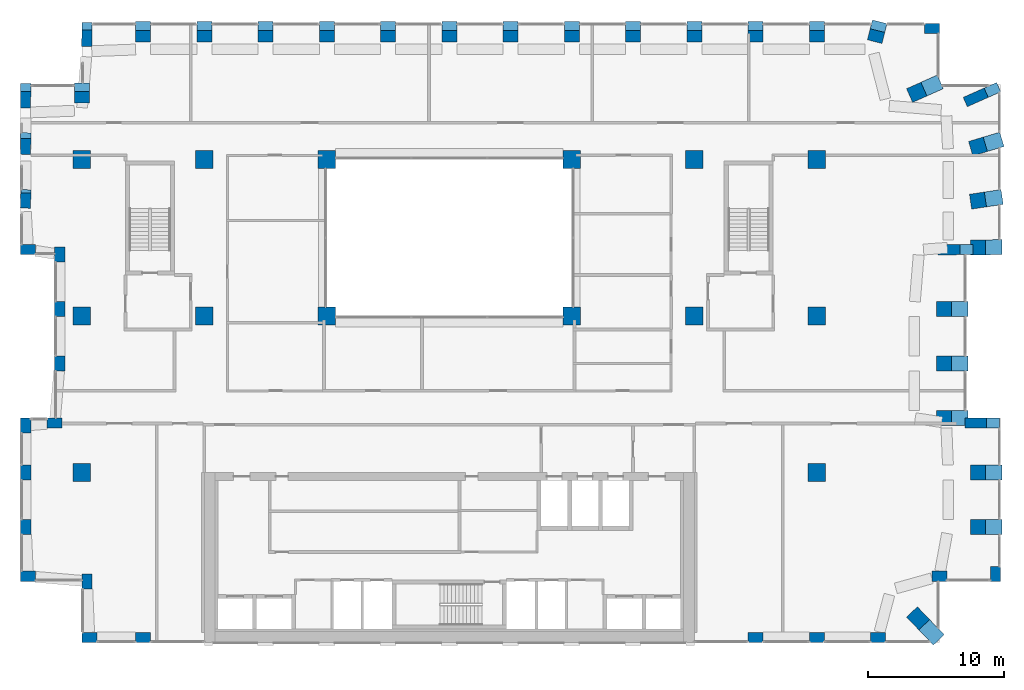
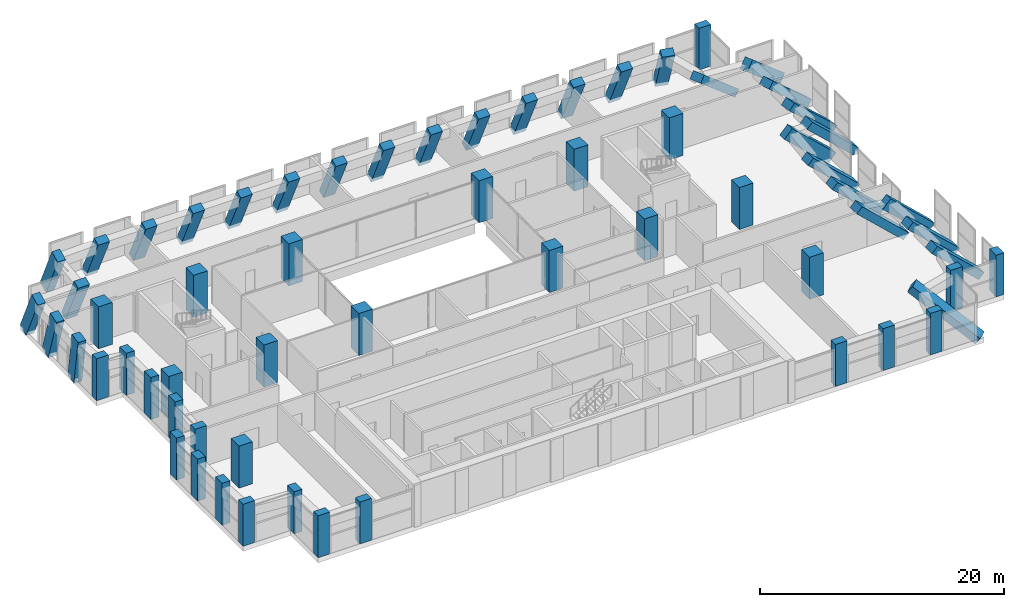
# One storey, part 1 of 20: 63 columns.
"""IFC4 building model written with IfcOpenShell, lengths in metres."""

from ifc_helpers import new_model, si_unit, direction, frame, origin, origin_2d, place, context, subcontext, project, spatial, rectangle, extrude, material, material_profile, profile_set, type_object, element, save


model = new_model("IFC4")

# Units and contexts
model_context = context("Model", 3, precision=1e-05, world=origin(), true_north=direction((0.0, 1.0)))
body_context = subcontext(model_context, "Body", "Model", "MODEL_VIEW")
ifc_project = project(units=[si_unit("LENGTHUNIT", "METRE"), si_unit("AREAUNIT", "SQUARE_METRE"), si_unit("VOLUMEUNIT", "CUBIC_METRE"), si_unit("PLANEANGLEUNIT", "RADIAN"), si_unit("MASSUNIT", "GRAM", prefix="KILO")], contexts=[model_context])

# Site, building, storey
site_placement = place(None, origin())
site = spatial("IfcSite", under=ifc_project, at=site_placement, CompositionType="ELEMENT")
building_placement = place(site_placement, origin())
building = spatial("IfcBuilding", under=site, at=building_placement, Name="Brigalow Station Residences", CompositionType="ELEMENT")
storey_placement = place(building_placement, frame((0.0, 0.0, 137.10009765625)))
storey = spatial("IfcBuildingStorey", under=building, at=storey_placement, Name="L39", CompositionType="ELEMENT", Elevation=137.10009765625)

# Columns
ifc_material_1 = material(Name="Concrete C65", Category="concrete")
ifc_material_profile_1 = material_profile(ifc_material_1, rectangle(XDim=1.300048828125, YDim=1.300048828125, at=origin_2d()), Name="RC1300x1300")
ifc_profile_set_1 = profile_set([ifc_material_profile_1], Name="Concrete C65")
column_type_1 = type_object("IfcColumnType", Name="COLUMN 1300x1300 C65", PredefinedType="COLUMN", material=ifc_profile_set_1)
for number, where, z_axis, x_axis, name in (
    (1, (9.0, 24.0, 0.0), (0.0, 0.0, 1.0), (1.0, 0.0, 0.0), "COLUMN C1 L39"),
    (2, (18.0, 24.0, 0.0), (0.0, 0.0, 1.0), (1.0, 0.0, 0.0), "COLUMN C2 L39"),
    (3, (27.0, 24.0, 0.0), (0.0, 0.0, 1.0), (1.0, 0.0, 0.0), "COLUMN C3 L39"),
    (4, (45.0, 24.0, 0.0), (0.0, 0.0, 1.0), (1.0, 0.0, 0.0), "COLUMN C5 L39"),
    (5, (54.0, 24.0, 0.0), (0.0, 0.0, 1.0), (1.0, 0.0, 0.0), "COLUMN C6 L39"),
    (6, (63.0, 24.0, 0.0), (0.0, 0.0, 1.0), (1.0, 0.0, 0.0), "COLUMN C7 L39"),
    (7, (9.0, 35.5, 0.0), (0.0, 0.0, 1.0), (1.0, 0.0, 0.0), "COLUMN D1 L39"),
    (8, (18.0, 35.5, 0.0), (0.0, 0.0, 1.0), (1.0, 0.0, 0.0), "COLUMN D2 L39"),
    (9, (27.0, 35.5, 0.0), (0.0, 0.0, 1.0), (1.0, 0.0, 0.0), "COLUMN D3 L39"),
    (10, (45.0, 35.5, 0.0), (0.0, 0.0, 1.0), (1.0, 0.0, 0.0), "COLUMN D5 L39"),
    (11, (54.0, 35.5, 0.0), (0.0, 0.0, 1.0), (1.0, 0.0, 0.0), "COLUMN D6 L39"),
    (12, (63.0, 35.5, 0.0), (0.0, 0.0, 1.0), (1.0, 0.0, 0.0), "COLUMN D7 L39"),
    (13, (9.0, 12.5, 0.0), (0.0, 0.0, 1.0), (1.0, 0.0, 0.0), "COLUMN B1 L39"),
    (14, (63.0, 12.5, 0.0), (0.0, 0.0, 1.0), (1.0, 0.0, 0.0), "COLUMN B7 L39"),
):
    element("IfcColumn", number, at=place(storey_placement, frame(where, z_axis=z_axis, x_axis=x_axis)), inside=storey, type_object=column_type_1, Name=name, PredefinedType="COLUMN", context=body_context, shape_type="SweptSolid", body=[
        extrude(rectangle(XDim=1.300048828125, YDim=1.300048828125, at=origin_2d()), origin(), (0.0, 0.0, 1.0), 4.199951171875),
    ])
ifc_material_2 = material(Name="Concrete C65", Category="concrete")
ifc_material_profile_2 = material_profile(ifc_material_2, rectangle(XDim=1.10009765625, YDim=0.75, at=origin_2d()), Name="RC1100x750")
ifc_profile_set_2 = profile_set([ifc_material_profile_2], Name="Concrete C65")
column_type_2 = type_object("IfcColumnType", Name="KINK COLUMN 1100x750 C65", PredefinedType="USERDEFINED", material=ifc_profile_set_2)
column_1_placement = place(storey_placement, frame((71.81298828125, 0.35400390625, -0.191650390625), z_axis=(-0.565829328796, 0.589840472916, 0.576129661782), x_axis=(-0.72164247075, -0.692265949192, 0.0)))
element("IfcColumn", 15, at=column_1_placement, inside=storey, type_object=column_type_2, Name="KINK COLUMN SE2-1 L39", ObjectType="KINK COLUMN", PredefinedType="USERDEFINED", context=body_context, shape_type="SweptSolid", body=[
    extrude(rectangle(XDim=1.10009765625, YDim=0.75, at=origin_2d()), origin(), (0.0, 0.0, 1.0), 7.0869140625),
])
for number, where, z_axis, x_axis, name in (
    (16, (76.3642578125, 8.5, -0.224609375), (-0.729141513294, 0.0, 0.684362954572), (0.0, -1.0, 0.0), "KINK COLUMN E1-2 L39"),
    (17, (76.3642578125, 12.5, -0.224609375), (-0.729141513294, 0.0, 0.684362954572), (0.0, -1.0, 0.0), "KINK COLUMN E1-3 L39"),
):
    element("IfcColumn", number, at=place(storey_placement, frame(where, z_axis=z_axis, x_axis=x_axis)), inside=storey, type_object=column_type_2, Name=name, ObjectType="KINK COLUMN", PredefinedType="USERDEFINED", context=body_context, shape_type="SweptSolid", body=[
        extrude(rectangle(XDim=1.10009765625, YDim=0.75, at=origin_2d()), origin(), (0.0, 0.0, 1.0), 6.062744140625),
    ])
column_2_placement = place(storey_placement, frame((76.0537109375, 16.12451171875, -0.09814453125), z_axis=(-0.727236062663, 0.004086079131, 0.686375271349), x_axis=(0.686364437468, -0.003856436099, 0.72724754168)))
element("IfcColumn", 18, at=column_2_placement, inside=storey, type_object=column_type_2, Name="KINK COLUMN EL1-1 L39", ObjectType="KINK COLUMN", PredefinedType="USERDEFINED", context=body_context, shape_type="SweptSolid", body=[
    extrude(rectangle(XDim=1.10009765625, YDim=0.75, at=origin_2d()), origin(), (0.0, 0.0, 1.0), 5.67626953125),
])
for number, where, z_axis, x_axis, name in (
    (19, (73.8642578125, 16.5, -0.224609375), (-0.729141513294, 0.0, 0.684362954572), (0.0, -1.0, 0.0), "KINK COLUMN EL2-1 L39"),
    (20, (73.8642578125, 20.5, -0.224609375), (-0.729141513294, 0.0, 0.684362954572), (0.0, -1.0, 0.0), "KINK COLUMN EL2-2 L39"),
    (21, (73.8642578125, 24.5, -0.224609375), (-0.729141513294, 0.0, 0.684362954572), (0.0, -1.0, 0.0), "KINK COLUMN EL2-3 L39"),
):
    element("IfcColumn", number, at=place(storey_placement, frame(where, z_axis=z_axis, x_axis=x_axis)), inside=storey, type_object=column_type_2, Name=name, ObjectType="KINK COLUMN", PredefinedType="USERDEFINED", context=body_context, shape_type="SweptSolid", body=[
        extrude(rectangle(XDim=1.10009765625, YDim=0.75, at=origin_2d()), origin(), (0.0, 0.0, 1.0), 6.062744140625),
    ])
column_3_placement = place(storey_placement, frame((74.102783203125, 28.87548828125, -0.095947265625), z_axis=(-0.731056341315, -0.004066179884, 0.682304984596), x_axis=(0.68229443077, 0.003794963169, 0.731067649397)))
element("IfcColumn", 22, at=column_3_placement, inside=storey, type_object=column_type_2, Name="KINK COLUMN EL3-1 L39", ObjectType="KINK COLUMN", PredefinedType="USERDEFINED", context=body_context, shape_type="SweptSolid", body=[
    extrude(rectangle(XDim=1.10009765625, YDim=0.75, at=origin_2d()), origin(), (0.0, 0.0, 1.0), 5.703857421875),
])
column_4_placement = place(storey_placement, frame((76.3642578125, 29.052734375, -0.224609375), z_axis=(-0.729117392386, -0.008133965497, 0.684340314994), x_axis=(0.01115521242, -0.999937778682, 0.0)))
element("IfcColumn", 23, at=column_4_placement, inside=storey, type_object=column_type_2, Name="KINK COLUMN E2-1 L39", ObjectType="KINK COLUMN", PredefinedType="USERDEFINED", context=body_context, shape_type="SweptSolid", body=[
    extrude(rectangle(XDim=1.10009765625, YDim=0.75, at=origin_2d()), origin(), (0.0, 0.0, 1.0), 6.06298828125),
])
column_5_placement = place(storey_placement, frame((76.36279296875, 32.702392578125, -0.223388671875), z_axis=(-0.724868321126, -0.108039229736, 0.680362728157), x_axis=(0.147418250083, -0.989074243696, 0.0)))
element("IfcColumn", 24, at=column_5_placement, inside=storey, type_object=column_type_2, Name="KINK COLUMN E2-2 L39", ObjectType="KINK COLUMN", PredefinedType="USERDEFINED", context=body_context, shape_type="SweptSolid", body=[
    extrude(rectangle(XDim=1.10009765625, YDim=0.75, at=origin_2d()), origin(), (0.0, 0.0, 1.0), 6.094482421875),
])
column_6_placement = place(storey_placement, frame((76.3583984375, 36.902587890625, -0.21923828125), z_axis=(-0.712524778345, -0.212258211932, 0.668771180384), x_axis=(0.28549732767, -0.958379505151, 0.0)))
element("IfcColumn", 25, at=column_6_placement, inside=storey, type_object=column_type_2, Name="KINK COLUMN E2-3 L39", ObjectType="KINK COLUMN", PredefinedType="USERDEFINED", context=body_context, shape_type="SweptSolid", body=[
    extrude(rectangle(XDim=1.10009765625, YDim=0.75, at=origin_2d()), origin(), (0.0, 0.0, 1.0), 6.18798828125),
])
column_7_placement = place(storey_placement, frame((76.036376953125, 40.663330078125, -0.08154296875), z_axis=(-0.692082905353, -0.307175001416, 0.653195813385), x_axis=(0.597031437995, 0.264987231144, 0.757189031469)))
element("IfcColumn", 26, at=column_7_placement, inside=storey, type_object=column_type_2, Name="KINK COLUMN NE1-1 L39", ObjectType="KINK COLUMN", PredefinedType="USERDEFINED", context=body_context, shape_type="SweptSolid", body=[
    extrude(rectangle(XDim=1.10009765625, YDim=0.75, at=origin_2d()), origin(), (0.0, 0.0, 1.0), 5.9140625),
])
column_8_placement = place(storey_placement, frame((71.852294921875, 41.1015625, -0.21337890625), z_axis=(-0.693283836665, -0.309819996528, 0.650668188534), x_axis=(0.408000303291, -0.912981791995, 0.0)))
element("IfcColumn", 27, at=column_8_placement, inside=storey, type_object=column_type_2, Name="KINK COLUMN NE2-1 L39", ObjectType="KINK COLUMN", PredefinedType="USERDEFINED", context=body_context, shape_type="SweptSolid", body=[
    extrude(rectangle(XDim=1.10009765625, YDim=0.75, at=origin_2d()), origin(), (0.0, 0.0, 1.0), 6.341796875),
])
column_9_placement = place(storey_placement, frame((67.539794921875, 45.2822265625, -0.33447265625), z_axis=(-0.107098158819, -0.423113148572, 0.899725095728), x_axis=(0.969426781934, -0.245380754072, 0.0)))
element("IfcColumn", 28, at=column_9_placement, inside=storey, type_object=column_type_2, Name="KINK COLUMN N-1 L39", ObjectType="KINK COLUMN", PredefinedType="USERDEFINED", context=body_context, shape_type="SweptSolid", body=[
    extrude(rectangle(XDim=1.10009765625, YDim=0.75, at=origin_2d()), origin(), (0.0, 0.0, 1.0), 4.85546875),
])
for number, where, z_axis, x_axis, name in (
    (29, (63.0, 45.2841796875, -0.33837890625), (0.0, -0.425539332237, 0.904939929895), (1.0, 0.0, 0.0), "KINK COLUMN N-2 L39"),
    (30, (58.5, 45.2841796875, -0.33837890625), (0.0, -0.425539332237, 0.904939929895), (1.0, 0.0, 0.0), "KINK COLUMN N-3 L39"),
    (31, (54.0, 45.2841796875, -0.33837890625), (0.0, -0.425539332237, 0.904939929895), (1.0, 0.0, 0.0), "KINK COLUMN N-4 L39"),
    (32, (49.5, 45.2841796875, -0.33837890625), (0.0, -0.425539332237, 0.904939929895), (1.0, 0.0, 0.0), "KINK COLUMN N-5 L39"),
    (33, (45.0, 45.2841796875, -0.33837890625), (0.0, -0.425539332237, 0.904939929895), (1.0, 0.0, 0.0), "KINK COLUMN N-6 L39"),
    (34, (40.5, 45.2841796875, -0.33837890625), (0.0, -0.425539332237, 0.904939929895), (1.0, 0.0, 0.0), "KINK COLUMN N-7 L39"),
    (35, (36.0, 45.2841796875, -0.33837890625), (0.0, -0.425539332237, 0.904939929895), (1.0, 0.0, 0.0), "KINK COLUMN N-8 L39"),
    (36, (31.5, 45.2841796875, -0.33837890625), (0.0, -0.425539332237, 0.904939929895), (1.0, 0.0, 0.0), "KINK COLUMN N-9 L39"),
    (37, (27.0, 45.2841796875, -0.33837890625), (0.0, -0.425539332237, 0.904939929895), (1.0, 0.0, 0.0), "KINK COLUMN N-10 L39"),
    (38, (22.5, 45.2841796875, -0.33837890625), (0.0, -0.425539332237, 0.904939929895), (1.0, 0.0, 0.0), "KINK COLUMN N-11 L39"),
    (39, (18.0, 45.2841796875, -0.33837890625), (0.0, -0.425539332237, 0.904939929895), (1.0, 0.0, 0.0), "KINK COLUMN N-12 L39"),
    (40, (13.5, 45.2841796875, -0.33837890625), (0.0, -0.425539332237, 0.904939929895), (1.0, 0.0, 0.0), "KINK COLUMN N-13 L39"),
):
    element("IfcColumn", number, at=place(storey_placement, frame(where, z_axis=z_axis, x_axis=x_axis)), inside=storey, type_object=column_type_2, Name=name, ObjectType="KINK COLUMN", PredefinedType="USERDEFINED", context=body_context, shape_type="SweptSolid", body=[
        extrude(rectangle(XDim=1.10009765625, YDim=0.75, at=origin_2d()), origin(), (0.0, 0.0, 1.0), 4.83642578125),
    ])
column_10_placement = place(storey_placement, frame((9.376708984375, 45.07373046875, -0.2666015625), z_axis=(-0.005440482831, -0.421114296082, 0.906991262792), x_axis=(0.01171667334, 0.906915580607, 0.421149438108)))
element("IfcColumn", 41, at=column_10_placement, inside=storey, type_object=column_type_2, Name="KINK COLUMN NW1-1 L39", ObjectType="KINK COLUMN", PredefinedType="USERDEFINED", context=body_context, shape_type="SweptSolid", body=[
    extrude(rectangle(XDim=1.10009765625, YDim=0.75, at=origin_2d()), origin(), (0.0, 0.0, 1.0), 4.6669921875),
])
column_11_placement = place(storey_placement, frame((9.0, 40.7841796875, -0.33837890625), z_axis=(0.0, -0.425539332237, 0.904939929895), x_axis=(1.0, 0.0, 0.0)))
element("IfcColumn", 42, at=column_11_placement, inside=storey, type_object=column_type_2, Name="KINK COLUMN NW2-1 L39", ObjectType="KINK COLUMN", PredefinedType="USERDEFINED", context=body_context, shape_type="SweptSolid", body=[
    extrude(rectangle(XDim=1.10009765625, YDim=0.75, at=origin_2d()), origin(), (0.0, 0.0, 1.0), 4.83642578125),
])
column_12_placement = place(storey_placement, frame((4.876708984375, 40.57373046875, -0.2666015625), z_axis=(-0.005440482831, -0.421114296082, 0.906991262792), x_axis=(0.01171667334, 0.906915580607, 0.421149438108)))
element("IfcColumn", 43, at=column_12_placement, inside=storey, type_object=column_type_2, Name="KINK COLUMN W2-1 L39", ObjectType="KINK COLUMN", PredefinedType="USERDEFINED", context=body_context, shape_type="SweptSolid", body=[
    extrude(rectangle(XDim=1.10009765625, YDim=0.75, at=origin_2d()), origin(), (0.0, 0.0, 1.0), 4.6669921875),
])
column_13_placement = place(storey_placement, frame((4.876953125, 36.938232421875, -0.331787109375), z_axis=(-0.005653102559, -0.302494318052, 0.953134423876), x_axis=(0.017809346029, 0.952968025262, 0.30254713686)))
element("IfcColumn", 44, at=column_13_placement, inside=storey, type_object=column_type_2, Name="KINK COLUMN W2-2 L39", ObjectType="KINK COLUMN", PredefinedType="USERDEFINED", context=body_context, shape_type="SweptSolid", body=[
    extrude(rectangle(XDim=1.10009765625, YDim=0.75, at=origin_2d()), origin(), (0.0, 0.0, 1.0), 4.577880859375),
])
column_14_placement = place(storey_placement, frame((4.87744140625, 32.732421875, -0.411865234375), z_axis=(-0.005863351746, -0.156871310817, 0.987601646895), x_axis=(0.03688765774, 0.986912515705, 0.156980849313)))
element("IfcColumn", 45, at=column_14_placement, inside=storey, type_object=column_type_2, Name="KINK COLUMN W2-3 L39", ObjectType="KINK COLUMN", PredefinedType="USERDEFINED", context=body_context, shape_type="SweptSolid", body=[
    extrude(rectangle(XDim=1.10009765625, YDim=0.75, at=origin_2d()), origin(), (0.0, 0.0, 1.0), 4.580322265625),
])
ifc_material_3 = material(Name="Concrete C65", Category="concrete")
ifc_material_profile_3 = material_profile(ifc_material_3, rectangle(XDim=1.10009765625, YDim=0.75, at=origin_2d()), Name="RC1100x750")
ifc_profile_set_3 = profile_set([ifc_material_profile_3], Name="Concrete C65")
column_type_3 = type_object("IfcColumnType", Name="PIER 1100x750 C65", PredefinedType="USERDEFINED", material=ifc_profile_set_3)
for number, where, z_axis, x_axis, name in (
    (46, (76.125, 5.050048828125, 0.0), (0.0, 0.0, 1.0), (0.0, 1.0, 0.0), "PIER E1-1 L39"),
    (47, (71.449951171875, 45.125, 0.0), (0.0, 0.0, 1.0), (-1.0, 0.0, 0.0), "PIER N-1 L39"),
):
    element("IfcColumn", number, at=place(storey_placement, frame(where, z_axis=z_axis, x_axis=x_axis)), inside=storey, type_object=column_type_3, Name=name, ObjectType="PIER", PredefinedType="USERDEFINED", context=body_context, shape_type="SweptSolid", body=[
        extrude(rectangle(XDim=1.10009765625, YDim=0.75, at=origin_2d()), origin(), (0.0, 0.0, 1.0), 4.159912109375),
    ])
for number, where, z_axis, x_axis, name in (
    (48, (9.550048828125, 0.375, 0.0), (0.0, 0.0, 1.0), (1.0, 0.0, 0.0), "PIER S-1 L39"),
    (49, (58.5, 0.375, 0.0), (0.0, 0.0, 1.0), (1.0, 0.0, 0.0), "PIER S-12 L39"),
    (50, (63.0, 0.375, 0.0), (0.0, 0.0, 1.0), (1.0, 0.0, 0.0), "PIER S-13 L39"),
):
    element("IfcColumn", number, at=place(storey_placement, frame(where, z_axis=z_axis, x_axis=x_axis)), inside=storey, type_object=column_type_3, Name=name, ObjectType="PIER", PredefinedType="USERDEFINED", context=body_context, shape_type="SweptSolid", body=[
        extrude(rectangle(XDim=1.10009765625, YDim=0.75, at=origin_2d()), origin(), (0.0, 0.0, 1.0), 4.199951171875),
    ])
column_15_placement = place(storey_placement, frame((67.5, 0.375, 0.0), z_axis=(0.0, 0.0, 1.0), x_axis=(1.0, 0.0, 0.0)))
element("IfcColumn", 51, at=column_15_placement, inside=storey, type_object=column_type_3, Name="PIER S-14 L39", ObjectType="PIER", PredefinedType="USERDEFINED", context=body_context, shape_type="SweptSolid", body=[
    extrude(rectangle(XDim=1.10009765625, YDim=0.75, at=origin_2d()), origin(), (0.0, 0.0, 1.0), 4.159912109375),
])
column_16_placement = place(storey_placement, frame((13.5, 0.375, 0.0), z_axis=(0.0, 0.0, 1.0), x_axis=(1.0, 0.0, 0.0)))
element("IfcColumn", 52, at=column_16_placement, inside=storey, type_object=column_type_3, Name="PIER S-2 L39", ObjectType="PIER", PredefinedType="USERDEFINED", context=body_context, shape_type="SweptSolid", body=[
    extrude(rectangle(XDim=1.10009765625, YDim=0.75, at=origin_2d()), origin(), (0.0, 0.0, 1.0), 4.199951171875),
])
column_17_placement = place(storey_placement, frame((72.0, 4.875, 0.0), z_axis=(0.0, 0.0, 1.0), x_axis=(1.0, 0.0, 0.0)))
element("IfcColumn", 53, at=column_17_placement, inside=storey, type_object=column_type_3, Name="PIER SE2-1 L39", ObjectType="PIER", PredefinedType="USERDEFINED", context=body_context, shape_type="SweptSolid", body=[
    extrude(rectangle(XDim=1.10009765625, YDim=0.75, at=origin_2d()), origin(), (0.0, 0.0, 1.0), 4.159912109375),
])
for number, where, z_axis, x_axis, name in (
    (54, (5.050048828125, 4.875, 0.0), (0.0, 0.0, 1.0), (1.0, 0.0, 0.0), "PIER SW1-1 L39"),
    (55, (9.375, 4.5, 0.0), (0.0, 0.0, 1.0), (0.0, -1.0, 0.0), "PIER SW2-1 L39"),
    (56, (4.875, 15.949951171875, 0.0), (0.0, 0.0, 1.0), (0.0, -1.0, 0.0), "PIER W1-1 L39"),
    (57, (4.875, 12.5, 0.0), (0.0, 0.0, 1.0), (0.0, -1.0, 0.0), "PIER W1-2 L39"),
    (58, (4.875, 8.5, 0.0), (0.0, 0.0, 1.0), (0.0, -1.0, 0.0), "PIER W1-3 L39"),
    (59, (5.050048828125, 28.875, 0.0), (0.0, 0.0, 1.0), (1.0, 0.0, 0.0), "PIER WL1-1 L39"),
    (60, (7.375, 28.5, 0.0), (0.0, 0.0, 1.0), (0.0, -1.0, 0.0), "PIER WL2-1 L39"),
    (61, (7.375, 24.5, 0.0), (0.0, 0.0, 1.0), (0.0, -1.0, 0.0), "PIER WL2-2 L39"),
    (62, (7.375, 20.5, 0.0), (0.0, 0.0, 1.0), (0.0, -1.0, 0.0), "PIER WL2-3 L39"),
    (63, (7.0, 16.125, 0.0), (0.0, 0.0, 1.0), (-1.0, 0.0, 0.0), "PIER WL3-1 L39"),
):
    element("IfcColumn", number, at=place(storey_placement, frame(where, z_axis=z_axis, x_axis=x_axis)), inside=storey, type_object=column_type_3, Name=name, ObjectType="PIER", PredefinedType="USERDEFINED", context=body_context, shape_type="SweptSolid", body=[
        extrude(rectangle(XDim=1.10009765625, YDim=0.75, at=origin_2d()), origin(), (0.0, 0.0, 1.0), 4.199951171875),
    ])

save(model, "model.ifc")
